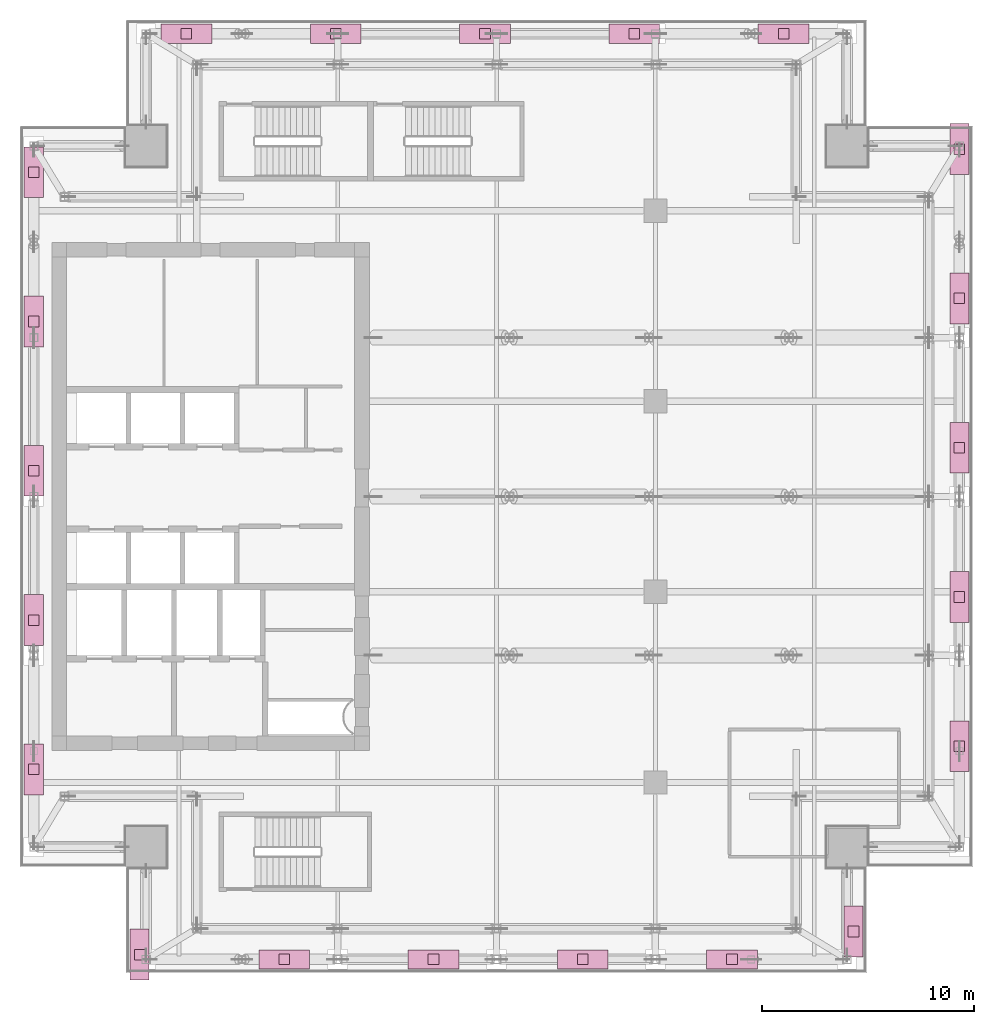
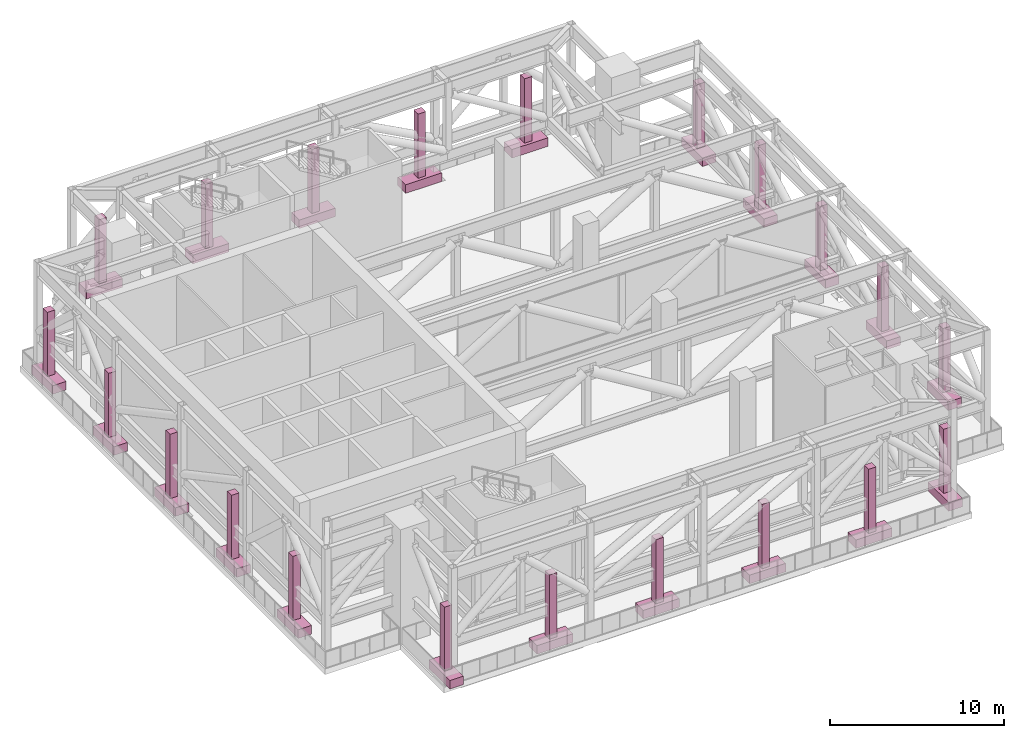
# One storey, part 15 of 15: 42 furnishings.
"""IFC4 building model written with IfcOpenShell, lengths in metres."""

from ifc_helpers import new_model, si_unit, direction, frame, origin, origin_2d, place, context, subcontext, project, spatial, rectangle, extrude, source, transform, mapped, material, type_object, element, save


model = new_model("IFC4")

# Units and contexts
model_context = context("Model", 3, precision=1e-05, world=origin(), true_north=direction((0.0, 1.0)))
body_context = subcontext(model_context, "Body", "Model", "MODEL_VIEW")
ifc_project = project(units=[si_unit("LENGTHUNIT", "METRE"), si_unit("AREAUNIT", "SQUARE_METRE"), si_unit("VOLUMEUNIT", "CUBIC_METRE"), si_unit("PLANEANGLEUNIT", "RADIAN"), si_unit("MASSUNIT", "GRAM", prefix="KILO")], contexts=[model_context])

# Site, building, storey
site_placement = place(None, origin())
site = spatial("IfcSite", under=ifc_project, at=site_placement, CompositionType="ELEMENT")
building_placement = place(site_placement, origin())
building = spatial("IfcBuilding", under=site, at=building_placement, Name="Khomas Fold Tower", CompositionType="ELEMENT")
storey_placement = place(building_placement, frame((0.0, 0.0, 274.199951171875)))
storey = spatial("IfcBuildingStorey", under=building, at=storey_placement, Name="L62", CompositionType="ELEMENT", Elevation=274.199951171875)

# Furnishings
ifc_material_1 = material(Name="Precast concrete C40/50", Category="concrete")
furnishing_element_type_1 = type_object("IfcFurnishingElementType", Name="Sky garden planter box", material=ifc_material_1)
shared_shape_1 = source(origin(), body_context, "Body", "SweptSolid", [
    extrude(rectangle(XDim=2.39990234375, YDim=0.89990234375, at=origin_2d()), origin(), (0.0, 0.0, 1.0), 0.60009765625),
])
for number, where, z_axis, x_axis, name in (
    (1, (5.14990234375, 14.12060546875, 0.0), (0.0, 0.0, 1.0), (0.0, 1.0, 0.0), "Aloe dichotoma planter"),
    (2, (5.14990234375, 21.1689453125, 0.0), (0.0, 0.0, 1.0), (0.0, 1.0, 0.0), "Aloe dichotoma planter"),
    (3, (5.14990234375, 28.21728515625, 0.0), (0.0, 0.0, 1.0), (0.0, 1.0, 0.0), "Aloe dichotoma planter"),
    (4, (5.14990234375, 35.265625, 0.0), (0.0, 0.0, 1.0), (0.0, 1.0, 0.0), "Aloe dichotoma planter"),
    (5, (5.14990234375, 42.313720703125, 0.0), (0.0, 0.0, 1.0), (0.0, 1.0, 0.0), "Aloe dichotoma planter"),
    (6, (12.358642578125, 48.85009765625, 0.0), (0.0, 0.0, 1.0), (1.0, 0.0, 0.0), "Aloe dichotoma planter"),
    (7, (19.406982421875, 48.85009765625, 0.0), (0.0, 0.0, 1.0), (1.0, 0.0, 0.0), "Aloe dichotoma planter"),
    (8, (26.455078125, 48.85009765625, 0.0), (0.0, 0.0, 1.0), (1.0, 0.0, 0.0), "Aloe dichotoma planter"),
    (9, (33.50341796875, 48.85009765625, 0.0), (0.0, 0.0, 1.0), (1.0, 0.0, 0.0), "Aloe dichotoma planter"),
    (10, (40.5517578125, 48.85009765625, 0.0), (0.0, 0.0, 1.0), (1.0, 0.0, 0.0), "Aloe dichotoma planter"),
    (11, (48.85009765625, 43.403564453125, 0.0), (0.0, 0.0, 1.0), (0.0, -1.0, 0.0), "Aloe dichotoma planter"),
    (12, (48.85009765625, 36.355224609375, 0.0), (0.0, 0.0, 1.0), (0.0, -1.0, 0.0), "Aloe dichotoma planter"),
    (13, (48.85009765625, 29.306884765625, 0.0), (0.0, 0.0, 1.0), (0.0, -1.0, 0.0), "Aloe dichotoma planter"),
    (14, (48.85009765625, 22.258544921875, 0.0), (0.0, 0.0, 1.0), (0.0, -1.0, 0.0), "Aloe dichotoma planter"),
    (15, (48.85009765625, 15.21044921875, 0.0), (0.0, 0.0, 1.0), (0.0, -1.0, 0.0), "Aloe dichotoma planter"),
    (16, (43.85009765625, 6.465576171875, 0.0), (0.0, 0.0, 1.0), (0.0, -1.0, 0.0), "Aloe dichotoma planter"),
    (17, (38.1171875, 5.14990234375, 0.0), (0.0, 0.0, 1.0), (-1.0, 0.0, 0.0), "Aloe dichotoma planter"),
    (18, (31.06884765625, 5.14990234375, 0.0), (0.0, 0.0, 1.0), (-1.0, 0.0, 0.0), "Aloe dichotoma planter"),
    (19, (24.020751953125, 5.14990234375, 0.0), (0.0, 0.0, 1.0), (-1.0, 0.0, 0.0), "Aloe dichotoma planter"),
    (20, (16.972412109375, 5.14990234375, 0.0), (0.0, 0.0, 1.0), (-1.0, 0.0, 0.0), "Aloe dichotoma planter"),
    (21, (10.14990234375, 5.3759765625, 0.0), (0.0, 0.0, 1.0), (0.0, 1.0, 0.0), "Aloe dichotoma planter"),
):
    element("IfcFurnishingElement", number, at=place(storey_placement, frame(where, z_axis=z_axis, x_axis=x_axis)), inside=storey, type_object=furnishing_element_type_1, Name=name, context=body_context, shape_type="MappedRepresentation", body=[
        mapped(shared_shape_1, transform((0.0, 0.0, 0.0))),
    ])
ifc_material_2 = material(Name="Planting")
furnishing_element_type_2 = type_object("IfcFurnishingElementType", Name="Aloe dichotoma tree", material=ifc_material_2)
shared_shape_2 = source(origin(), body_context, "Body", "SweptSolid", [
    extrude(rectangle(XDim=0.5, YDim=0.5, at=origin_2d()), origin(), (0.0, 0.0, 1.0), 4.5),
])
for number, where, z_axis, x_axis, name in (
    (22, (5.14990234375, 14.12060546875, 0.60009765625), (0.0, 0.0, 1.0), (1.0, 0.0, 0.0), "Aloe dichotoma"),
    (23, (5.14990234375, 21.1689453125, 0.60009765625), (0.0, 0.0, 1.0), (1.0, 0.0, 0.0), "Aloe dichotoma"),
    (24, (5.14990234375, 28.21728515625, 0.60009765625), (0.0, 0.0, 1.0), (1.0, 0.0, 0.0), "Aloe dichotoma"),
    (25, (5.14990234375, 35.265625, 0.60009765625), (0.0, 0.0, 1.0), (1.0, 0.0, 0.0), "Aloe dichotoma"),
    (26, (5.14990234375, 42.313720703125, 0.60009765625), (0.0, 0.0, 1.0), (1.0, 0.0, 0.0), "Aloe dichotoma"),
    (27, (12.358642578125, 48.85009765625, 0.60009765625), (0.0, 0.0, 1.0), (1.0, 0.0, 0.0), "Aloe dichotoma"),
    (28, (19.406982421875, 48.85009765625, 0.60009765625), (0.0, 0.0, 1.0), (1.0, 0.0, 0.0), "Aloe dichotoma"),
    (29, (26.455078125, 48.85009765625, 0.60009765625), (0.0, 0.0, 1.0), (1.0, 0.0, 0.0), "Aloe dichotoma"),
    (30, (33.50341796875, 48.85009765625, 0.60009765625), (0.0, 0.0, 1.0), (1.0, 0.0, 0.0), "Aloe dichotoma"),
    (31, (40.5517578125, 48.85009765625, 0.60009765625), (0.0, 0.0, 1.0), (1.0, 0.0, 0.0), "Aloe dichotoma"),
    (32, (48.85009765625, 43.403564453125, 0.60009765625), (0.0, 0.0, 1.0), (1.0, 0.0, 0.0), "Aloe dichotoma"),
    (33, (48.85009765625, 36.355224609375, 0.60009765625), (0.0, 0.0, 1.0), (1.0, 0.0, 0.0), "Aloe dichotoma"),
    (34, (48.85009765625, 29.306884765625, 0.60009765625), (0.0, 0.0, 1.0), (1.0, 0.0, 0.0), "Aloe dichotoma"),
    (35, (48.85009765625, 22.258544921875, 0.60009765625), (0.0, 0.0, 1.0), (1.0, 0.0, 0.0), "Aloe dichotoma"),
    (36, (48.85009765625, 15.21044921875, 0.60009765625), (0.0, 0.0, 1.0), (1.0, 0.0, 0.0), "Aloe dichotoma"),
    (37, (43.85009765625, 6.465576171875, 0.60009765625), (0.0, 0.0, 1.0), (1.0, 0.0, 0.0), "Aloe dichotoma"),
    (38, (38.1171875, 5.14990234375, 0.60009765625), (0.0, 0.0, 1.0), (1.0, 0.0, 0.0), "Aloe dichotoma"),
    (39, (31.06884765625, 5.14990234375, 0.60009765625), (0.0, 0.0, 1.0), (1.0, 0.0, 0.0), "Aloe dichotoma"),
    (40, (24.020751953125, 5.14990234375, 0.60009765625), (0.0, 0.0, 1.0), (1.0, 0.0, 0.0), "Aloe dichotoma"),
    (41, (16.972412109375, 5.14990234375, 0.60009765625), (0.0, 0.0, 1.0), (1.0, 0.0, 0.0), "Aloe dichotoma"),
    (42, (10.14990234375, 5.3759765625, 0.60009765625), (0.0, 0.0, 1.0), (1.0, 0.0, 0.0), "Aloe dichotoma"),
):
    element("IfcFurnishingElement", number, at=place(storey_placement, frame(where, z_axis=z_axis, x_axis=x_axis)), inside=storey, type_object=furnishing_element_type_2, Name=name, context=body_context, shape_type="MappedRepresentation", body=[
        mapped(shared_shape_2, transform((0.0, 0.0, 0.0))),
    ])

save(model, "model.ifc")
